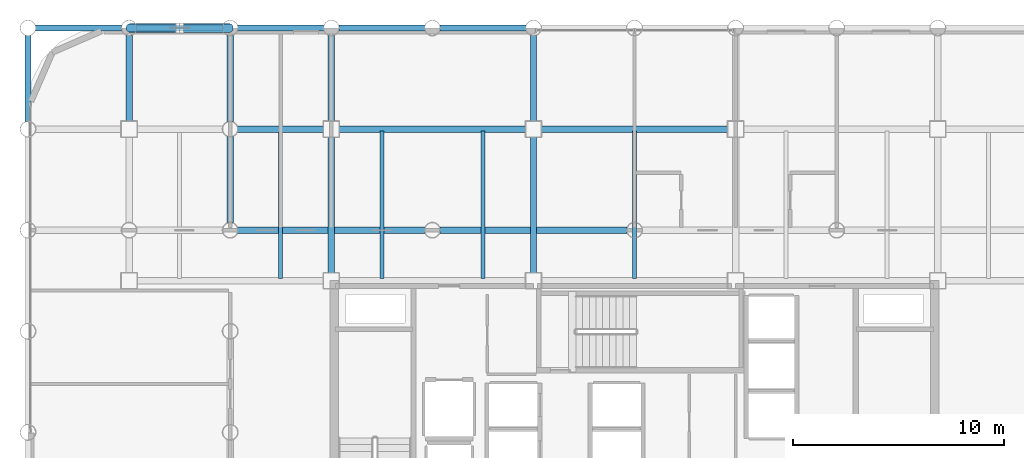
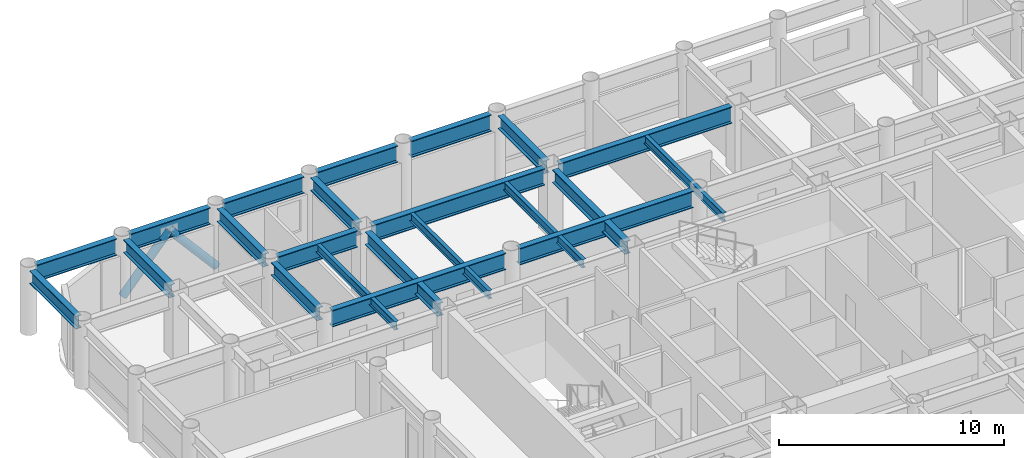
# One storey, part 10 of 19: 22 beams, 2 members.
"""IFC4 building model written with IfcOpenShell, lengths in metres."""

from ifc_helpers import new_model, si_unit, direction, frame, origin, origin_2d, place, context, subcontext, project, spatial, hollow_circle, i_section, extrude, material, material_profile, profile_set, type_object, element, save


model = new_model("IFC4")

# Units and contexts
model_context = context("Model", 3, precision=1e-05, world=origin(), true_north=direction((0.0, 1.0)))
body_context = subcontext(model_context, "Body", "Model", "MODEL_VIEW")
ifc_project = project(units=[si_unit("LENGTHUNIT", "METRE"), si_unit("AREAUNIT", "SQUARE_METRE"), si_unit("VOLUMEUNIT", "CUBIC_METRE"), si_unit("PLANEANGLEUNIT", "RADIAN"), si_unit("MASSUNIT", "GRAM", prefix="KILO")], contexts=[model_context])

# Site, building, storey
site_placement = place(None, origin())
site = spatial("IfcSite", under=ifc_project, at=site_placement, CompositionType="ELEMENT")
building_placement = place(site_placement, origin())
building = spatial("IfcBuilding", under=site, at=building_placement, Name="Kallvorn Hotel Tower", CompositionType="ELEMENT")
storey_placement = place(building_placement, frame((0.0, 0.0, 63.300048828125)))
storey = spatial("IfcBuildingStorey", under=building, at=storey_placement, Name="L14", CompositionType="ELEMENT", Elevation=63.300048828125)

# Beams
ifc_material_1 = material(Name="Structural steel S355JR", Category="steel")
ifc_material_profile_1 = material_profile(ifc_material_1, i_section(OverallWidth=0.300048828125, OverallDepth=0.699951171875, WebThickness=0.01708984375, FlangeThickness=0.031982421875, at=origin_2d()), Name="HE 700 B")
ifc_profile_set_1 = profile_set([ifc_material_profile_1], Name="Structural steel S355JR")
beam_type_1 = type_object("IfcBeamType", Name="BM_HE700B", PredefinedType="BEAM", material=ifc_profile_set_1)
beam_1_placement = place(storey_placement, frame((-28.800048828125, 14.756103515625, 3.169921875), z_axis=(0.0, 1.0, 0.0), x_axis=(-1.0, 0.0, 0.0)))
element("IfcBeam", 1, at=beam_1_placement, inside=storey, type_object=beam_type_1, Name="L15 Primary Y-Girder 80", PredefinedType="BEAM", context=body_context, shape_type="SweptSolid", body=[
    extrude(i_section(OverallWidth=0.300048828125, OverallDepth=0.699951171875, WebThickness=0.01708984375, FlangeThickness=0.031982421875, at=origin_2d()), origin(), (0.0, 0.0, 1.0), 4.087890625),
])
beam_2_placement = place(storey_placement, frame((-24.0, 14.77490234375, 3.169921875), z_axis=(0.0, 1.0, 0.0), x_axis=(-1.0, 0.0, 0.0)))
element("IfcBeam", 2, at=beam_2_placement, inside=storey, type_object=beam_type_1, Name="L15 Primary Y-Girder 87", PredefinedType="BEAM", context=body_context, shape_type="SweptSolid", body=[
    extrude(i_section(OverallWidth=0.300048828125, OverallDepth=0.699951171875, WebThickness=0.01708984375, FlangeThickness=0.031982421875, at=origin_2d()), origin(), (0.0, 0.0, 1.0), 4.069091796875),
])
for number, where, z_axis, x_axis, name in (
    (3, (-19.199951171875, 9.9560546875, 3.169921875), (0.0, 1.0, 0.0), (-1.0, 0.0, 0.0), "L15 Primary Y-Girder 95"),
    (4, (-19.199951171875, 14.756103515625, 3.169921875), (0.0, 1.0, 0.0), (-1.0, 0.0, 0.0), "L15 Primary Y-Girder 96"),
):
    element("IfcBeam", number, at=place(storey_placement, frame(where, z_axis=z_axis, x_axis=x_axis)), inside=storey, type_object=beam_type_1, Name=name, PredefinedType="BEAM", context=body_context, shape_type="SweptSolid", body=[
        extrude(i_section(OverallWidth=0.300048828125, OverallDepth=0.699951171875, WebThickness=0.01708984375, FlangeThickness=0.031982421875, at=origin_2d()), origin(), (0.0, 0.0, 1.0), 4.087890625),
    ])
beam_3_placement = place(storey_placement, frame((-14.39990234375, 7.574951171875, 3.169921875), z_axis=(0.0, 1.0, 0.0), x_axis=(-1.0, 0.0, 0.0)))
element("IfcBeam", 5, at=beam_3_placement, inside=storey, type_object=beam_type_1, Name="L15 Primary Y-Girder 100", PredefinedType="BEAM", context=body_context, shape_type="SweptSolid", body=[
    extrude(i_section(OverallWidth=0.300048828125, OverallDepth=0.699951171875, WebThickness=0.01708984375, FlangeThickness=0.031982421875, at=origin_2d()), origin(), (0.0, 0.0, 1.0), 6.449951171875),
])
beam_4_placement = place(storey_placement, frame((-14.39990234375, 14.77490234375, 3.169921875), z_axis=(0.0, 1.0, 0.0), x_axis=(-1.0, 0.0, 0.0)))
element("IfcBeam", 6, at=beam_4_placement, inside=storey, type_object=beam_type_1, Name="L15 Primary Y-Girder 101", PredefinedType="BEAM", context=body_context, shape_type="SweptSolid", body=[
    extrude(i_section(OverallWidth=0.300048828125, OverallDepth=0.699951171875, WebThickness=0.01708984375, FlangeThickness=0.031982421875, at=origin_2d()), origin(), (0.0, 0.0, 1.0), 4.069091796875),
])
beam_5_placement = place(storey_placement, frame((-4.800048828125, 7.574951171875, 3.169921875), z_axis=(0.0, 1.0, 0.0), x_axis=(-1.0, 0.0, 0.0)))
element("IfcBeam", 7, at=beam_5_placement, inside=storey, type_object=beam_type_1, Name="L15 Primary Y-Girder 108", PredefinedType="BEAM", context=body_context, shape_type="SweptSolid", body=[
    extrude(i_section(OverallWidth=0.300048828125, OverallDepth=0.699951171875, WebThickness=0.01708984375, FlangeThickness=0.031982421875, at=origin_2d()), origin(), (0.0, 0.0, 1.0), 6.449951171875),
])
beam_6_placement = place(storey_placement, frame((-4.800048828125, 14.77490234375, 3.169921875), z_axis=(0.0, 1.0, 0.0), x_axis=(-1.0, 0.0, 0.0)))
element("IfcBeam", 8, at=beam_6_placement, inside=storey, type_object=beam_type_1, Name="L15 Primary Y-Girder 109", PredefinedType="BEAM", context=body_context, shape_type="SweptSolid", body=[
    extrude(i_section(OverallWidth=0.300048828125, OverallDepth=0.699951171875, WebThickness=0.01708984375, FlangeThickness=0.031982421875, at=origin_2d()), origin(), (0.0, 0.0, 1.0), 4.069091796875),
])
ifc_material_2 = material(Name="Structural steel S355JR", Category="steel")
ifc_material_profile_2 = material_profile(ifc_material_2, i_section(OverallWidth=0.300048828125, OverallDepth=0.89990234375, WebThickness=0.0185546875, FlangeThickness=0.034912109375, at=origin_2d()), Name="HE 900 B")
ifc_profile_set_2 = profile_set([ifc_material_profile_2], Name="Structural steel S355JR")
beam_type_2 = type_object("IfcBeamType", Name="BM_HE900B", PredefinedType="BEAM", material=ifc_profile_set_2)
for number, where, z_axis, x_axis, name in (
    (9, (-18.843994140625, 9.60009765625, 3.070068359375), (1.0, 0.0, 0.0), (0.0, 1.0, 0.0), "L15 Primary X-Girder 44"),
    (10, (-9.243896484375, 9.60009765625, 3.070068359375), (1.0, 0.0, 0.0), (0.0, 1.0, 0.0), "L15 Primary X-Girder 45"),
):
    element("IfcBeam", number, at=place(storey_placement, frame(where, z_axis=z_axis, x_axis=x_axis)), inside=storey, type_object=beam_type_2, Name=name, PredefinedType="BEAM", context=body_context, shape_type="SweptSolid", body=[
        extrude(i_section(OverallWidth=0.300048828125, OverallDepth=0.89990234375, WebThickness=0.0185546875, FlangeThickness=0.034912109375, at=origin_2d()), origin(), (0.0, 0.0, 1.0), 8.887939453125),
    ])
beam_7_placement = place(storey_placement, frame((-18.843994140625, 14.39990234375, 3.070068359375), z_axis=(1.0, 0.0, 0.0), x_axis=(0.0, 1.0, 0.0)))
element("IfcBeam", 11, at=beam_7_placement, inside=storey, type_object=beam_type_2, Name="L15 Primary X-Girder 53", PredefinedType="BEAM", context=body_context, shape_type="SweptSolid", body=[
    extrude(i_section(OverallWidth=0.300048828125, OverallDepth=0.89990234375, WebThickness=0.0185546875, FlangeThickness=0.034912109375, at=origin_2d()), origin(), (0.0, 0.0, 1.0), 4.069091796875),
])
beam_8_placement = place(storey_placement, frame((-14.02490234375, 14.39990234375, 3.070068359375), z_axis=(1.0, 0.0, 0.0), x_axis=(0.0, 1.0, 0.0)))
element("IfcBeam", 12, at=beam_8_placement, inside=storey, type_object=beam_type_2, Name="L15 Primary X-Girder 54", PredefinedType="BEAM", context=body_context, shape_type="SweptSolid", body=[
    extrude(i_section(OverallWidth=0.300048828125, OverallDepth=0.89990234375, WebThickness=0.0185546875, FlangeThickness=0.034912109375, at=origin_2d()), origin(), (0.0, 0.0, 1.0), 8.849853515625),
])
beam_9_placement = place(storey_placement, frame((-4.425048828125, 14.39990234375, 3.070068359375), z_axis=(1.0, 0.0, 0.0), x_axis=(0.0, 1.0, 0.0)))
element("IfcBeam", 13, at=beam_9_placement, inside=storey, type_object=beam_type_2, Name="L15 Primary X-Girder 55", PredefinedType="BEAM", context=body_context, shape_type="SweptSolid", body=[
    extrude(i_section(OverallWidth=0.300048828125, OverallDepth=0.89990234375, WebThickness=0.0185546875, FlangeThickness=0.034912109375, at=origin_2d()), origin(), (0.0, 0.0, 1.0), 8.85009765625),
])
for number, where, z_axis, x_axis, name in (
    (14, (-28.444091796875, 19.199951171875, 3.070068359375), (1.0, 0.0, 0.0), (0.0, 1.0, 0.0), "L15 Primary X-Girder 61"),
    (15, (-23.64404296875, 19.199951171875, 3.070068359375), (1.0, 0.0, 0.0), (0.0, 1.0, 0.0), "L15 Primary X-Girder 62"),
):
    element("IfcBeam", number, at=place(storey_placement, frame(where, z_axis=z_axis, x_axis=x_axis)), inside=storey, type_object=beam_type_2, Name=name, PredefinedType="BEAM", context=body_context, shape_type="SweptSolid", body=[
        extrude(i_section(OverallWidth=0.300048828125, OverallDepth=0.89990234375, WebThickness=0.0185546875, FlangeThickness=0.034912109375, at=origin_2d()), origin(), (0.0, 0.0, 1.0), 4.088134765625),
    ])
for number, where, z_axis, x_axis, name in (
    (16, (-18.843994140625, 19.199951171875, 3.070068359375), (1.0, 0.0, 0.0), (0.0, 1.0, 0.0), "L15 Primary X-Girder 63"),
    (17, (-14.0439453125, 19.199951171875, 3.070068359375), (1.0, 0.0, 0.0), (0.0, 1.0, 0.0), "L15 Primary X-Girder 64"),
    (18, (-9.243896484375, 19.199951171875, 3.070068359375), (1.0, 0.0, 0.0), (0.0, 1.0, 0.0), "L15 Primary X-Girder 65"),
):
    element("IfcBeam", number, at=place(storey_placement, frame(where, z_axis=z_axis, x_axis=x_axis)), inside=storey, type_object=beam_type_2, Name=name, PredefinedType="BEAM", context=body_context, shape_type="SweptSolid", body=[
        extrude(i_section(OverallWidth=0.300048828125, OverallDepth=0.89990234375, WebThickness=0.0185546875, FlangeThickness=0.034912109375, at=origin_2d()), origin(), (0.0, 0.0, 1.0), 4.087890625),
    ])
ifc_material_3 = material(Name="Structural steel S355JR", Category="steel")
ifc_material_profile_3 = material_profile(ifc_material_3, i_section(OverallWidth=0.18994140625, OverallDepth=0.449951171875, WebThickness=0.009521484375, FlangeThickness=0.0146484375, at=origin_2d()), Name="IPE 450")
ifc_profile_set_3 = profile_set([ifc_material_profile_3], Name="Structural steel S355JR")
beam_type_3 = type_object("IfcBeamType", Name="BM_IPE450", PredefinedType="JOIST", material=ifc_profile_set_3)
for number, where, z_axis, x_axis, name in (
    (19, (-16.800048828125, 7.300048828125, 3.294921875), (0.0, 1.0, 0.0), (-1.0, 0.0, 0.0), "L15 Secondary Composite Joist 195"),
    (20, (-12.0, 7.300048828125, 3.294921875), (0.0, 1.0, 0.0), (-1.0, 0.0, 0.0), "L15 Secondary Composite Joist 197"),
    (21, (-7.199951171875, 7.300048828125, 3.294921875), (0.0, 1.0, 0.0), (-1.0, 0.0, 0.0), "L15 Secondary Composite Joist 199"),
    (22, (0.0, 7.300048828125, 3.294921875), (0.0, 1.0, 0.0), (-1.0, 0.0, 0.0), "L15 Secondary Composite Joist 201"),
):
    element("IfcBeam", number, at=place(storey_placement, frame(where, z_axis=z_axis, x_axis=x_axis)), inside=storey, type_object=beam_type_3, Name=name, PredefinedType="JOIST", context=body_context, shape_type="SweptSolid", body=[
        extrude(i_section(OverallWidth=0.18994140625, OverallDepth=0.449951171875, WebThickness=0.009521484375, FlangeThickness=0.0146484375, at=origin_2d()), origin(), (0.0, 0.0, 1.0), 7.0),
    ])

# Members
ifc_material_4 = material(Name="Structural steel S355J2H", Category="steel")
ifc_material_profile_4 = material_profile(ifc_material_4, hollow_circle(Radius=0.203125, WallThickness=0.01611328125, at=origin_2d()), Name="CHS 406.4x16")
ifc_profile_set_4 = profile_set([ifc_material_profile_4], Name="Structural steel S355J2H")
member_type = type_object("IfcMemberType", Name="MBR_EXO_CHS406", PredefinedType="BRACE", material=ifc_profile_set_4)
for number, where, z_axis, x_axis, name in (
    (23, (-23.98681640625, 19.199951171875, 0.195068359375), (0.65346062529, 0.0, 0.756960508346), (0.0, 1.0, 0.0), "L14 Exoskeleton K-Brace N1A"),
    (24, (-19.213134765625, 19.199951171875, 0.195068359375), (-0.65346062529, 0.0, 0.756960508346), (0.0, -1.0, 0.0), "L14 Exoskeleton K-Brace N1B"),
):
    element("IfcMember", number, at=place(storey_placement, frame(where, z_axis=z_axis, x_axis=x_axis)), inside=storey, type_object=member_type, Name=name, PredefinedType="BRACE", context=body_context, shape_type="SweptSolid", body=[
        extrude(hollow_circle(Radius=0.203125, WallThickness=0.01611328125, at=origin_2d()), origin(), (0.0, 0.0, 1.0), 3.632568359375),
    ])

save(model, "model.ifc")
